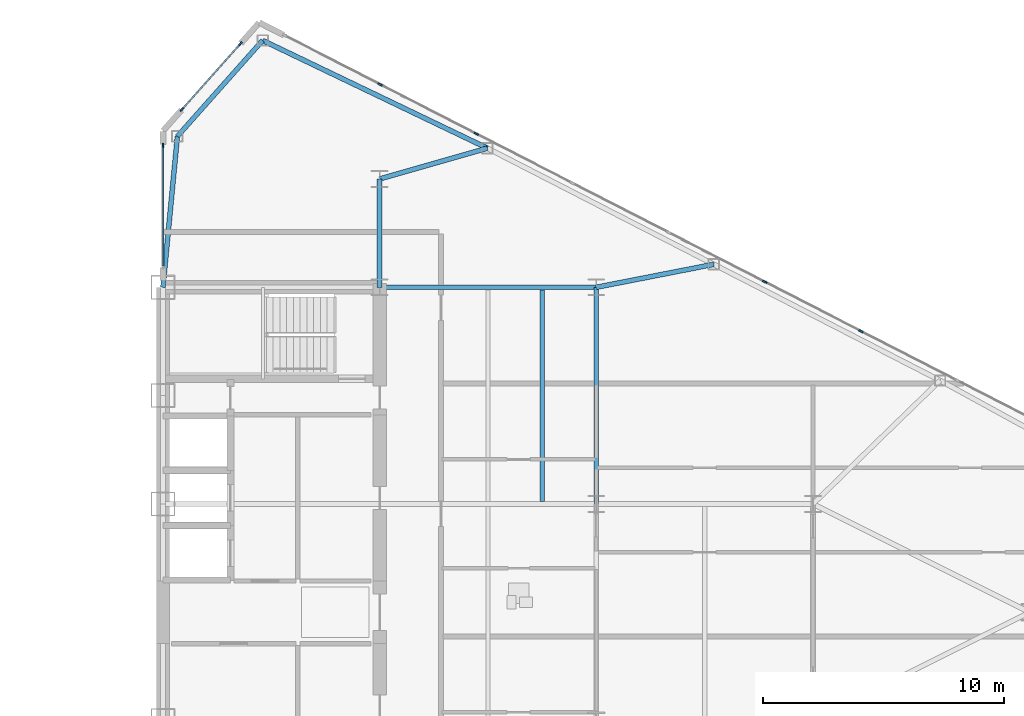
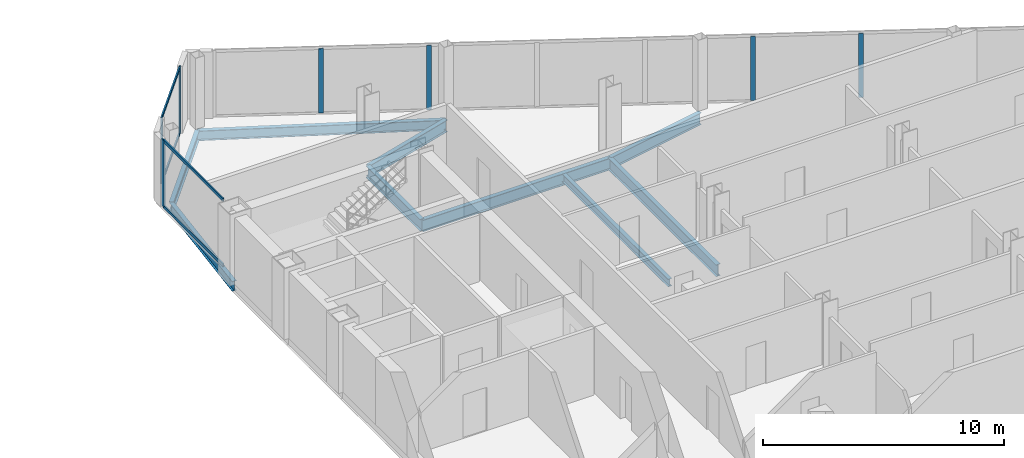
# One storey, part 11 of 23: 11 members, 9 beams, 3 elements without a shape of their own.
"""IFC4 building model written with IfcOpenShell, lengths in metres."""

from ifc_helpers import new_model, si_unit, direction, frame, origin, origin_2d, place, context, subcontext, project, spatial, rectangle, i_section, extrude, source, transform, mapped, material, layer, layer_set, material_profile, profile_set, type_object, type_shapes, element, aggregate, save


model = new_model("IFC4")

# Units and contexts
model_context = context("Model", 3, precision=1e-05, world=origin(), true_north=direction((0.0, 1.0)))
body_context = subcontext(model_context, "Body", "Model", "MODEL_VIEW")
ifc_project = project(units=[si_unit("LENGTHUNIT", "METRE"), si_unit("AREAUNIT", "SQUARE_METRE"), si_unit("VOLUMEUNIT", "CUBIC_METRE"), si_unit("PLANEANGLEUNIT", "RADIAN"), si_unit("MASSUNIT", "GRAM", prefix="KILO")], contexts=[model_context])

# Site, building, storey
site_placement = place(None, origin())
site = spatial("IfcSite", under=ifc_project, at=site_placement, CompositionType="ELEMENT")
building_placement = place(site_placement, origin())
building = spatial("IfcBuilding", under=site, at=building_placement, Name="Seokmaru Belvedere", CompositionType="ELEMENT")
storey_placement = place(building_placement, frame((0.0, 0.0, 144.0)))
storey = spatial("IfcBuildingStorey", under=building, at=storey_placement, Name="L38", CompositionType="ELEMENT", Elevation=144.0)

# Beams
ifc_material_1 = material(Name="Steel SM355 (355 MPa)", Category="steel")
ifc_material_profile_1 = material_profile(ifc_material_1, i_section(OverallWidth=0.199951171875, OverallDepth=0.60009765625, WebThickness=0.010986328125, FlangeThickness=0.01708984375, at=origin_2d()), Name="H-600x200x11x17")
ifc_profile_set_1 = profile_set([ifc_material_profile_1], Name="Steel SM355 (355 MPa)")
beam_type_1 = type_object("IfcBeamType", Name="Primary Floor Girder H-600", PredefinedType="BEAM", material=ifc_profile_set_1)
shared_shape_1 = source(origin(), body_context, "Body", "SweptSolid", [
    extrude(i_section(OverallWidth=0.199951171875, OverallDepth=0.60009765625, WebThickness=0.010986328125, FlangeThickness=0.01708984375, at=origin_2d()), origin(), (0.0, 0.0, 1.0), 9.0),
])
for number, where, z_axis, x_axis, name in (
    (1, (45.5, 4.5, -0.52001953125), (0.0, 1.0, 0.0), (-1.0, 0.0, 0.0), "L38 E Interior Grid Girder 3"),
    (2, (36.5, 13.5, -0.52001953125), (1.0, 0.0, 0.0), (0.0, 1.0, 0.0), "L38 E Wing Primary Girder 4"),
):
    element("IfcBeam", number, at=place(storey_placement, frame(where, z_axis=z_axis, x_axis=x_axis)), inside=storey, type_object=beam_type_1, Name=name, PredefinedType="BEAM", context=body_context, shape_type="MappedRepresentation", body=[
        mapped(shared_shape_1, transform((0.0, 0.0, 0.0), scale=1.0)),
    ])
ifc_material_profile_2 = material_profile(ifc_material_1, i_section(OverallWidth=0.18505859375, OverallDepth=0.389892578125, WebThickness=0.008056640625, FlangeThickness=0.011962890625, at=origin_2d()), Name="H-390x185x8x12")
ifc_profile_set_2 = profile_set([ifc_material_profile_2], Name="Steel SM355 (355 MPa)")
beam_type_2 = type_object("IfcBeamType", Name="Secondary Floor Joist H-350", PredefinedType="JOIST", material=ifc_profile_set_2)
shared_shape_2 = source(origin(), body_context, "Body", "SweptSolid", [
    extrude(i_section(OverallWidth=0.18505859375, OverallDepth=0.389892578125, WebThickness=0.008056640625, FlangeThickness=0.011962890625, at=origin_2d()), origin(), (0.0, 0.0, 1.0), 8.7900390625),
])
type_shapes(beam_type_2, [shared_shape_2])
beam_1_placement = place(storey_placement, frame((43.25, 4.60498046875, -0.4150390625), z_axis=(0.0, 1.0, 0.0), x_axis=(-1.0, 0.0, 0.0)))
element("IfcBeam", 3, at=beam_1_placement, inside=storey, type_object=beam_type_2, Name="L38 E Wing Inner Secondary Joist 2", PredefinedType="JOIST", context=body_context, shape_type="MappedRepresentation", body=[
    mapped(shared_shape_2, transform((0.0, 0.0, 0.0), scale=1.0)),
])
shared_shape_3 = source(origin(), body_context, "Body", "SweptSolid", [
    extrude(i_section(OverallWidth=0.199951171875, OverallDepth=0.60009765625, WebThickness=0.010986328125, FlangeThickness=0.01708984375, at=origin_2d()), origin(), (0.0, 0.0, 1.0), 4.5),
])
beam_2_placement = place(storey_placement, frame((36.5, 13.5, -0.52001953125), z_axis=(0.0, 1.0, 0.0), x_axis=(-1.0, 0.0, 0.0)))
element("IfcBeam", 4, at=beam_2_placement, inside=storey, type_object=beam_type_1, Name="L38 E Core Shoulder Girder N", PredefinedType="BEAM", context=body_context, shape_type="MappedRepresentation", body=[
    mapped(shared_shape_3, transform((0.0, 0.0, 0.0), scale=1.0)),
])
ifc_material_profile_3 = material_profile(ifc_material_1, i_section(OverallWidth=0.199951171875, OverallDepth=0.5, WebThickness=0.010009765625, FlangeThickness=0.01611328125, at=origin_2d()), Name="H-500x200x10x16")
ifc_profile_set_3 = profile_set([ifc_material_profile_3], Name="Steel SM355 (355 MPa)")
beam_type_3 = type_object("IfcBeamType", Name="Perimeter Spandrel Beam H-500", PredefinedType="SPANDREL", material=ifc_profile_set_3)
shared_shape_4 = source(origin(), body_context, "Body", "SweptSolid", [
    extrude(i_section(OverallWidth=0.199951171875, OverallDepth=0.5, WebThickness=0.010009765625, FlangeThickness=0.01611328125, at=origin_2d()), origin(), (0.0, 0.0, 1.0), 10.353759765625),
])
beam_3_placement = place(storey_placement, frame((31.6396484375, 23.75390625, -0.469970703125), z_axis=(0.901713202822, -0.432334708134, 0.0), x_axis=(0.432334708134, 0.901713202822, 0.0)))
element("IfcBeam", 5, at=beam_3_placement, inside=storey, type_object=beam_type_3, Name="L38 E Faceted Flank Spandrel N-1", PredefinedType="SPANDREL", context=body_context, shape_type="MappedRepresentation", body=[
    mapped(shared_shape_4, transform((0.0, 0.0, 0.0), scale=1.0)),
])
shared_shape_5 = source(origin(), body_context, "Body", "SweptSolid", [
    extrude(i_section(OverallWidth=0.199951171875, OverallDepth=0.5, WebThickness=0.010009765625, FlangeThickness=0.01611328125, at=origin_2d()), origin(), (0.0, 0.0, 1.0), 5.32763671875),
])
beam_4_placement = place(storey_placement, frame((31.6396484375, 23.75390625, -0.469970703125), z_axis=(-0.66436952742, -0.74740426212, 0.0), x_axis=(0.74740426212, -0.66436952742, 0.0)))
element("IfcBeam", 6, at=beam_4_placement, inside=storey, type_object=beam_type_3, Name="L38 E Shoulder Chamfer Spandrel N", PredefinedType="SPANDREL", context=body_context, shape_type="MappedRepresentation", body=[
    mapped(shared_shape_5, transform((0.0, 0.0, 0.0), scale=1.0)),
])
shared_shape_6 = source(origin(), body_context, "Body", "SweptSolid", [
    extrude(i_section(OverallWidth=0.199951171875, OverallDepth=0.5, WebThickness=0.010009765625, FlangeThickness=0.01611328125, at=origin_2d()), origin(), (0.0, 0.0, 1.0), 6.300537109375),
])
type_shapes(beam_type_3, [shared_shape_4, shared_shape_5, shared_shape_6])
beam_5_placement = place(storey_placement, frame((28.10009765625, 19.77197265625, -0.469970703125), z_axis=(-0.095244287992, -0.995453929424, 0.0), x_axis=(0.995453929424, -0.095244287992, 0.0)))
element("IfcBeam", 7, at=beam_5_placement, inside=storey, type_object=beam_type_3, Name="L38 E Shoulder Spine Spandrel N", PredefinedType="SPANDREL", context=body_context, shape_type="MappedRepresentation", body=[
    mapped(shared_shape_6, transform((0.0, 0.0, 0.0), scale=1.0)),
])
shared_shape_7 = source(origin(), body_context, "Body", "SweptSolid", [
    extrude(i_section(OverallWidth=0.199951171875, OverallDepth=0.60009765625, WebThickness=0.010986328125, FlangeThickness=0.01708984375, at=origin_2d()), origin(), (0.0, 0.0, 1.0), 4.654541015625),
])
beam_6_placement = place(storey_placement, frame((40.975830078125, 19.277587890625, -0.52001953125), z_axis=(-0.961593192625, -0.274478654721, 0.0), x_axis=(0.274478654721, -0.961593192625, 0.0)))
element("IfcBeam", 8, at=beam_6_placement, inside=storey, type_object=beam_type_1, Name="L38 E Flank Radial Floor Girder N-1", PredefinedType="BEAM", context=body_context, shape_type="MappedRepresentation", body=[
    mapped(shared_shape_7, transform((0.0, 0.0, 0.0), scale=1.0)),
])
shared_shape_8 = source(origin(), body_context, "Body", "SweptSolid", [
    extrude(i_section(OverallWidth=0.199951171875, OverallDepth=0.60009765625, WebThickness=0.010986328125, FlangeThickness=0.01708984375, at=origin_2d()), origin(), (0.0, 0.0, 1.0), 4.969482421875),
])
type_shapes(beam_type_1, [shared_shape_1, shared_shape_3, shared_shape_7, shared_shape_8])
beam_7_placement = place(storey_placement, frame((50.377197265625, 14.453369140625, -0.52001953125), z_axis=(-0.98142544456, -0.19184393858, 0.0), x_axis=(0.19184393858, -0.98142544456, 0.0)))
element("IfcBeam", 9, at=beam_7_placement, inside=storey, type_object=beam_type_1, Name="L38 E Flank Radial Floor Girder N-2", PredefinedType="BEAM", context=body_context, shape_type="MappedRepresentation", body=[
    mapped(shared_shape_8, transform((0.0, 0.0, 0.0), scale=1.0)),
])

# Curtain wall, members
ifc_material_2 = material(Name="Bronze Triple Insulating Glass", Category="glass")
ifc_layer = layer(ifc_material_2, 0.195068359375)
ifc_layer_set = layer_set([ifc_layer], Name="Bronze Triple Insulating Glass")
curtain_wall_type = type_object("IfcCurtainWallType", Name="Sky-Lobby and Mid-Rise Curtain Wall System CW-4", PredefinedType="NOTDEFINED", material=ifc_layer_set)
curtain_wall_1_placement = place(storey_placement, origin())
curtain_wall_1 = element("IfcCurtainWall", 10, at=curtain_wall_1_placement, inside=storey, type_object=curtain_wall_type, Name="L38 Curtain Wall EF4", PredefinedType="NOTDEFINED")
ifc_material_3 = material(Name="Anodised Bronze Aluminium", Category="aluminium")
ifc_material_profile_4 = material_profile(ifc_material_3, rectangle(XDim=0.070068359375, YDim=0.195068359375, at=origin_2d()), Name="CW-M-70x195")
ifc_profile_set_4 = profile_set([ifc_material_profile_4], Name="Anodised Bronze Aluminium")
member_type_1 = type_object("IfcMemberType", Name="Bronze Unitised Mullion 70x195", PredefinedType="MULLION", material=ifc_profile_set_4)
shared_shape_9 = source(origin(), body_context, "Body", "SweptSolid", [
    extrude(rectangle(XDim=0.070068359375, YDim=0.195068359375, at=origin_2d()), origin(), (0.0, 0.0, 1.0), 3.3798828125),
])
member_1_placement = place(storey_placement, frame((30.712646484375, 23.6142578125, 0.0), z_axis=(0.0, 0.0, 1.0), x_axis=(0.747409774804, -0.664363325694, 0.0)))
member_1 = element("IfcMember", 11, at=member_1_placement, type_object=member_type_1, Name="CW:L38:EF4 Mullion 1", PredefinedType="MULLION", context=body_context, shape_type="MappedRepresentation", body=[
    mapped(shared_shape_9, transform((0.0, 0.0, 0.0), scale=1.0)),
])
member_2_placement = place(storey_placement, frame((28.287353515625, 20.8857421875, 0.0), z_axis=(0.0, 0.0, 1.0), x_axis=(0.747409774804, -0.664363325694, 0.0)))
member_2 = element("IfcMember", 12, at=member_2_placement, type_object=member_type_1, Name="CW:L38:EF4 Mullion 2", PredefinedType="MULLION", context=body_context, shape_type="MappedRepresentation", body=[
    mapped(shared_shape_9, transform((0.0, 0.0, 0.0), scale=1.0)),
])

# Curtain wall, member
curtain_wall_2_placement = place(storey_placement, origin())
curtain_wall_2 = element("IfcCurtainWall", 13, at=curtain_wall_2_placement, inside=storey, type_object=curtain_wall_type, Name="L38 Curtain Wall ESP_2", PredefinedType="NOTDEFINED")
member_3_placement = place(storey_placement, frame((27.5, 19.39501953125, 0.0), z_axis=(0.0, 0.0, 1.0), x_axis=(1.0, 0.0, 0.0)))
member_3 = element("IfcMember", 14, at=member_3_placement, type_object=member_type_1, Name="CW:L38:ESP_2 Mullion 1", PredefinedType="MULLION", context=body_context, shape_type="MappedRepresentation", body=[
    mapped(shared_shape_9, transform((0.0, 0.0, 0.0), scale=1.0)),
])

# Member
ifc_material_profile_5 = material_profile(ifc_material_3, rectangle(XDim=0.06494140625, YDim=0.14990234375, at=origin_2d()), Name="CW-T-65x150")
ifc_profile_set_5 = profile_set([ifc_material_profile_5], Name="Anodised Bronze Aluminium")
member_type_2 = type_object("IfcMemberType", Name="Bronze Unitised Transom 65x150", PredefinedType="USERDEFINED", material=ifc_profile_set_5)
shared_shape_10 = source(origin(), body_context, "Body", "SweptSolid", [
    extrude(rectangle(XDim=0.06494140625, YDim=0.14990234375, at=origin_2d()), origin(), (0.0, 0.0, 1.0), 3.580810546875),
])
member_4_placement = place(storey_placement, frame((30.689453125, 23.588134765625, 0.032470703125), z_axis=(-0.66436383883, -0.747409318684, 0.0), x_axis=(0.747409318684, -0.66436383883, 0.0)))
member_4 = element("IfcMember", 15, at=member_4_placement, type_object=member_type_2, Name="CW:L38:EF4 Continuous Transom 1", ObjectType="TRANSOM", PredefinedType="USERDEFINED", context=body_context, shape_type="MappedRepresentation", body=[
    mapped(shared_shape_10, transform((0.0, 0.0, 0.0), scale=1.0)),
])

member_5_placement = place(storey_placement, frame((30.689453125, 23.588134765625, 3.347412109375), z_axis=(-0.66436383883, -0.747409318684, 0.0), x_axis=(0.747409318684, -0.66436383883, 0.0)))
member_5 = element("IfcMember", 16, at=member_5_placement, type_object=member_type_2, Name="CW:L38:EF4 Continuous Transom 2", ObjectType="TRANSOM", PredefinedType="USERDEFINED", context=body_context, shape_type="MappedRepresentation", body=[
    mapped(shared_shape_10, transform((0.0, 0.0, 0.0), scale=1.0)),
])

aggregate(curtain_wall_1, [member_1, member_2, member_4, member_5])

# Curtain wall, members
curtain_wall_3_placement = place(storey_placement, origin())
curtain_wall_3 = element("IfcCurtainWall", 17, at=curtain_wall_3_placement, inside=storey, type_object=curtain_wall_type, Name="L38 Curtain Wall EF3", PredefinedType="NOTDEFINED")
shared_shape_11 = source(origin(), body_context, "Body", "SweptSolid", [
    extrude(rectangle(XDim=0.070068359375, YDim=0.195068359375, at=origin_2d()), origin(), (0.0, 0.0, 1.0), 3.25),
])
type_shapes(member_type_1, [shared_shape_9, shared_shape_11])
member_6_placement = place(storey_placement, frame((56.4921875, 11.675048828125, 0.06494140625), z_axis=(0.0, 0.0, 1.0), x_axis=(-0.456554528263, -0.889695432562, 0.0)))
member_6 = element("IfcMember", 18, at=member_6_placement, type_object=member_type_1, Name="CW:L38:EF3 Mullion 4", PredefinedType="MULLION", context=body_context, shape_type="MappedRepresentation", body=[
    mapped(shared_shape_11, transform((0.0, 0.0, 0.0), scale=1.0)),
])
member_7_placement = place(storey_placement, frame((52.497314453125, 13.72509765625, 0.06494140625), z_axis=(0.0, 0.0, 1.0), x_axis=(-0.456554528263, -0.889695432562, 0.0)))
member_7 = element("IfcMember", 19, at=member_7_placement, type_object=member_type_1, Name="CW:L38:EF3 Mullion 5", PredefinedType="MULLION", context=body_context, shape_type="MappedRepresentation", body=[
    mapped(shared_shape_11, transform((0.0, 0.0, 0.0), scale=1.0)),
])
member_8_placement = place(storey_placement, frame((40.5126953125, 19.875, 0.06494140625), z_axis=(0.0, 0.0, 1.0), x_axis=(-0.456554528263, -0.889695432562, 0.0)))
member_8 = element("IfcMember", 20, at=member_8_placement, type_object=member_type_1, Name="CW:L38:EF3 Mullion 8", PredefinedType="MULLION", context=body_context, shape_type="MappedRepresentation", body=[
    mapped(shared_shape_11, transform((0.0, 0.0, 0.0), scale=1.0)),
])
member_9_placement = place(storey_placement, frame((36.51806640625, 21.925048828125, 0.06494140625), z_axis=(0.0, 0.0, 1.0), x_axis=(-0.456554528263, -0.889695432562, 0.0)))
member_9 = element("IfcMember", 21, at=member_9_placement, type_object=member_type_1, Name="CW:L38:EF3 Mullion 9", PredefinedType="MULLION", context=body_context, shape_type="MappedRepresentation", body=[
    mapped(shared_shape_11, transform((0.0, 0.0, 0.0), scale=1.0)),
])
aggregate(curtain_wall_3, [member_6, member_7, member_8, member_9])

# Member
shared_shape_12 = source(origin(), body_context, "Body", "SweptSolid", [
    extrude(rectangle(XDim=0.06494140625, YDim=0.14990234375, at=origin_2d()), origin(), (0.0, 0.0, 1.0), 4.960205078125),
])
type_shapes(member_type_2, [shared_shape_10, shared_shape_12])
member_10_placement = place(storey_placement, frame((27.5, 19.360107421875, 0.032470703125), z_axis=(0.0, -1.0, 0.0), x_axis=(1.0, 0.0, 0.0)))
member_10 = element("IfcMember", 22, at=member_10_placement, type_object=member_type_2, Name="CW:L38:ESP_2 Continuous Transom 1", ObjectType="TRANSOM", PredefinedType="USERDEFINED", context=body_context, shape_type="MappedRepresentation", body=[
    mapped(shared_shape_12, transform((0.0, 0.0, 0.0), scale=1.0)),
])

member_11_placement = place(storey_placement, frame((27.5, 19.360107421875, 3.347412109375), z_axis=(0.0, -1.0, 0.0), x_axis=(1.0, 0.0, 0.0)))
member_11 = element("IfcMember", 23, at=member_11_placement, type_object=member_type_2, Name="CW:L38:ESP_2 Continuous Transom 2", ObjectType="TRANSOM", PredefinedType="USERDEFINED", context=body_context, shape_type="MappedRepresentation", body=[
    mapped(shared_shape_12, transform((0.0, 0.0, 0.0), scale=1.0)),
])

aggregate(curtain_wall_2, [member_3, member_10, member_11])

save(model, "model.ifc")
